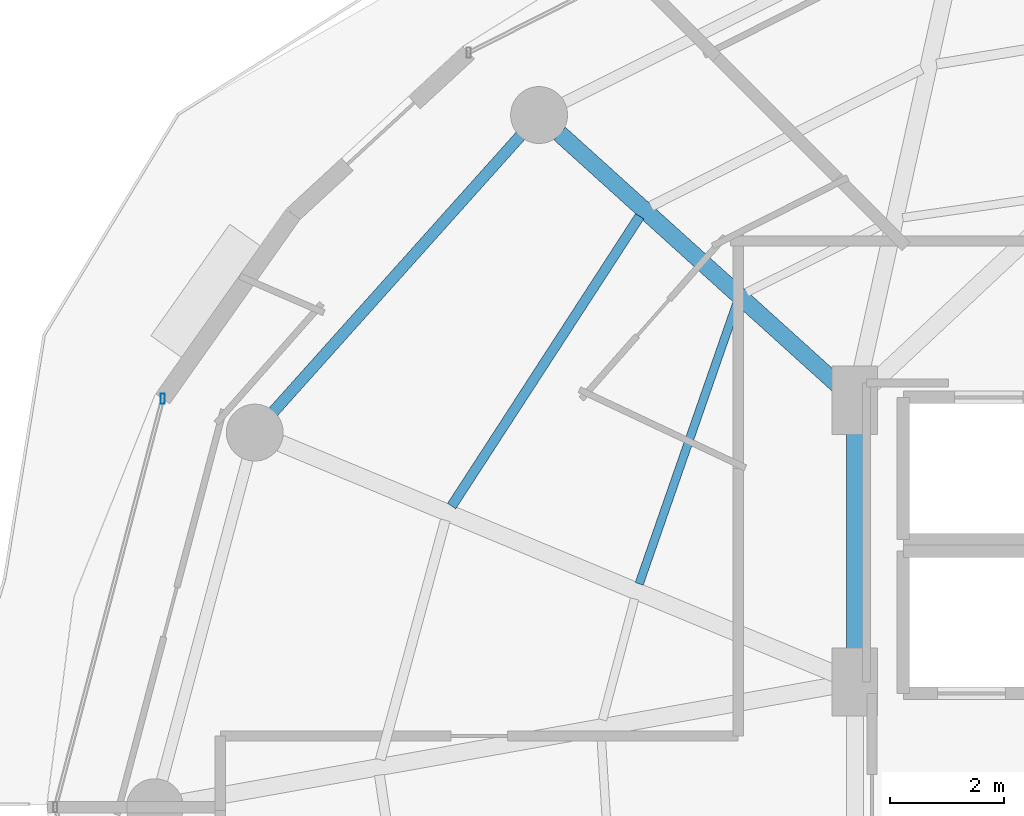
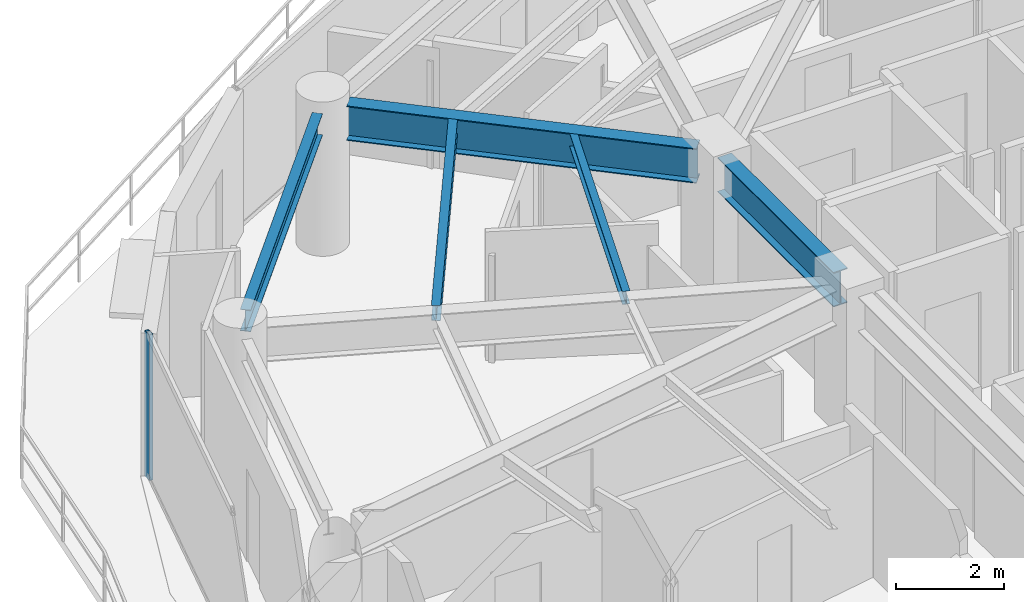
# One storey, part 9 of 31: 5 beams, 1 member, 1 element without a shape of its own.
"""IFC4 building model written with IfcOpenShell, lengths in metres."""

from ifc_helpers import new_model, si_unit, direction, frame, origin, origin_2d, place, context, subcontext, project, spatial, hollow_rectangle, i_section, extrude, material, material_profile, profile_set, type_object, element, aggregate, save


model = new_model("IFC4")

# Units and contexts
model_context = context("Model", 3, precision=1e-05, world=origin(), true_north=direction((0.0, 1.0)))
body_context = subcontext(model_context, "Body", "Model", "MODEL_VIEW")
ifc_project = project(units=[si_unit("LENGTHUNIT", "METRE"), si_unit("AREAUNIT", "SQUARE_METRE"), si_unit("VOLUMEUNIT", "CUBIC_METRE"), si_unit("PLANEANGLEUNIT", "RADIAN"), si_unit("MASSUNIT", "GRAM", prefix="KILO")], contexts=[model_context])

# Site, building, storey
site_placement = place(None, origin())
site = spatial("IfcSite", under=ifc_project, at=site_placement, CompositionType="ELEMENT")
building_placement = place(site_placement, origin())
building = spatial("IfcBuilding", under=site, at=building_placement, Name="Vorneva Point Tower", CompositionType="ELEMENT")
storey_placement = place(building_placement, frame((0.0, 0.0, 129.10009765625)))
storey = spatial("IfcBuildingStorey", under=building, at=storey_placement, Name="L34", CompositionType="ELEMENT", Elevation=129.10009765625)

# Beams
ifc_material_1 = material(Name="Steel S355", Category="steel")
ifc_material_profile_1 = material_profile(ifc_material_1, i_section(OverallWidth=0.300048828125, OverallDepth=0.7880859375, WebThickness=0.014404296875, FlangeThickness=0.02197265625, at=origin_2d()), Name="80Sh1")
ifc_profile_set_1 = profile_set([ifc_material_profile_1], Name="Steel S355")
beam_type_1 = type_object("IfcBeamType", Name="BM-GRD-80Sh1", PredefinedType="USERDEFINED", material=ifc_profile_set_1)
beam_1_placement = place(storey_placement, frame((22.063232421875, 37.835205078125, 2.845947265625), z_axis=(0.742084379637, -0.670306477292, 0.0), x_axis=(0.670306477292, 0.742084379637, 0.0)))
element("IfcBeam", 1, at=beam_1_placement, inside=storey, type_object=beam_type_1, Name="L34 Radial Primary Girder 07", ObjectType="GIRDER", PredefinedType="USERDEFINED", context=body_context, shape_type="SweptSolid", body=[
    extrude(i_section(OverallWidth=0.300048828125, OverallDepth=0.7880859375, WebThickness=0.014404296875, FlangeThickness=0.02197265625, at=origin_2d()), origin(), (0.0, 0.0, 1.0), 6.649658203125),
])
beam_2_placement = place(storey_placement, frame((27.25, 28.52001953125, 2.845947265625), z_axis=(0.0, 1.0, 0.0), x_axis=(-1.0, 0.0, 0.0)))
element("IfcBeam", 2, at=beam_2_placement, inside=storey, type_object=beam_type_1, Name="L34 Core Tie Girder CT2", ObjectType="GIRDER", PredefinedType="USERDEFINED", context=body_context, shape_type="SweptSolid", body=[
    extrude(i_section(OverallWidth=0.300048828125, OverallDepth=0.7880859375, WebThickness=0.014404296875, FlangeThickness=0.02197265625, at=origin_2d()), origin(), (0.0, 0.0, 1.0), 4.31005859375),
])
ifc_material_profile_2 = material_profile(ifc_material_1, i_section(OverallWidth=0.14892578125, OverallDepth=0.298095703125, WebThickness=0.005615234375, FlangeThickness=0.008056640625, at=origin_2d()), Name="30B1")
ifc_profile_set_2 = profile_set([ifc_material_profile_2], Name="Steel S355")
beam_type_2 = type_object("IfcBeamType", Name="BM-JST-30B1", PredefinedType="JOIST", material=ifc_profile_set_2)
beam_3_placement = place(storey_placement, frame((25.17578125, 34.852294921875, 3.0908203125), z_axis=(-0.328761958151, -0.944412820155, 0.0), x_axis=(0.944412820155, -0.328761958151, 0.0)))
element("IfcBeam", 3, at=beam_3_placement, inside=storey, type_object=beam_type_2, Name="L34 Secondary Floor Beam 2.07", PredefinedType="JOIST", context=body_context, shape_type="SweptSolid", body=[
    extrude(i_section(OverallWidth=0.14892578125, OverallDepth=0.298095703125, WebThickness=0.005615234375, FlangeThickness=0.008056640625, at=origin_2d()), origin(), (0.0, 0.0, 1.0), 5.21826171875),
])
ifc_material_profile_3 = material_profile(ifc_material_1, i_section(OverallWidth=0.174072265625, OverallDepth=0.345947265625, WebThickness=0.006103515625, FlangeThickness=0.009033203125, at=origin_2d()), Name="35B1")
ifc_profile_set_3 = profile_set([ifc_material_profile_3], Name="Steel S355")
beam_type_3 = type_object("IfcBeamType", Name="BM-SEC-35B1", PredefinedType="BEAM", material=ifc_profile_set_3)
beam_4_placement = place(storey_placement, frame((23.468505859375, 36.382080078125, 3.06689453125), z_axis=(-0.544400002832, -0.83882574884, 0.0), x_axis=(0.83882574884, -0.544400002832, 0.0)))
element("IfcBeam", 4, at=beam_4_placement, inside=storey, type_object=beam_type_3, Name="L34 Secondary Floor Beam 1.07", PredefinedType="BEAM", context=body_context, shape_type="SweptSolid", body=[
    extrude(i_section(OverallWidth=0.174072265625, OverallDepth=0.345947265625, WebThickness=0.006103515625, FlangeThickness=0.009033203125, at=origin_2d()), origin(), (0.0, 0.0, 1.0), 6.069091796875),
])
ifc_material_profile_4 = material_profile(ifc_material_1, i_section(OverallWidth=0.199951171875, OverallDepth=0.491943359375, WebThickness=0.0087890625, FlangeThickness=0.011962890625, at=origin_2d()), Name="50B1")
ifc_profile_set_4 = profile_set([ifc_material_profile_4], Name="Steel S355")
beam_type_4 = type_object("IfcBeamType", Name="BM-SPN-50B1", PredefinedType="SPANDREL", material=ifc_profile_set_4)
beam_5_placement = place(storey_placement, frame((21.377685546875, 37.80078125, 2.993896484375), z_axis=(-0.667111118975, -0.74495822362, 0.0), x_axis=(0.74495822362, -0.667111118975, 0.0)))
element("IfcBeam", 5, at=beam_5_placement, inside=storey, type_object=beam_type_4, Name="L34 Perimeter Spandrel Ring Beam 07", PredefinedType="SPANDREL", context=body_context, shape_type="SweptSolid", body=[
    extrude(i_section(OverallWidth=0.199951171875, OverallDepth=0.491943359375, WebThickness=0.0087890625, FlangeThickness=0.011962890625, at=origin_2d()), origin(), (0.0, 0.0, 1.0), 6.52001953125),
])

# Curtain wall, member
ifc_material_2 = material(Name="Pale anodised aluminium", Category="aluminium")
curtain_wall_type = type_object("IfcCurtainWallType", Name="CW-RES-SYS", PredefinedType="NOTDEFINED", material=ifc_material_2)
curtain_wall_placement = place(storey_placement, origin())
curtain_wall = element("IfcCurtainWall", 6, at=curtain_wall_placement, inside=storey, type_object=curtain_wall_type, Name="L34 Unitised Curtain Wall CW-L34-R03", PredefinedType="NOTDEFINED")
ifc_material_profile_5 = material_profile(ifc_material_2, hollow_rectangle(XDim=0.074951171875, YDim=0.179931640625, WallThickness=0.00390625, at=origin_2d()), Name="AL-MUL 180x75x4")
ifc_profile_set_5 = profile_set([ifc_material_profile_5], Name="Pale anodised aluminium")
member_type = type_object("IfcMemberType", Name="CW-MUL-180", PredefinedType="MULLION", material=ifc_profile_set_5)
member_placement = place(storey_placement, frame((15.087890625, 33.17529296875, -0.0400390625), z_axis=(0.0, 0.0, 1.0), x_axis=(1.0, 0.0, 0.0)))
member = element("IfcMember", 7, at=member_placement, type_object=member_type, Name="CW-L34-R03 Mullion 01", PredefinedType="MULLION", context=body_context, shape_type="SweptSolid", body=[
    extrude(hollow_rectangle(XDim=0.074951171875, YDim=0.179931640625, WallThickness=0.00390625, at=origin_2d()), origin(), (0.0, 0.0, 1.0), 3.31005859375),
])
aggregate(curtain_wall, [member])

save(model, "model.ifc")
